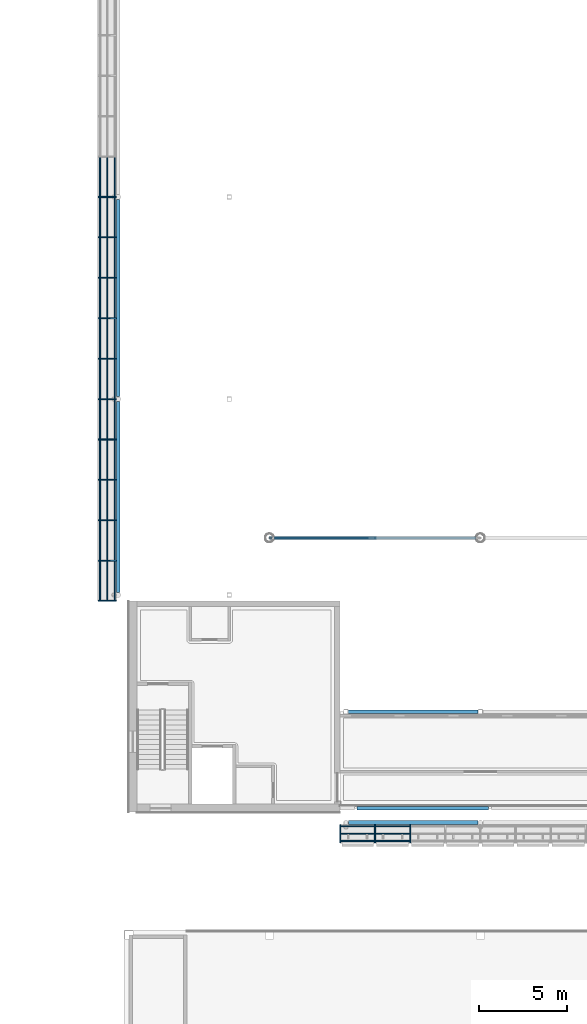
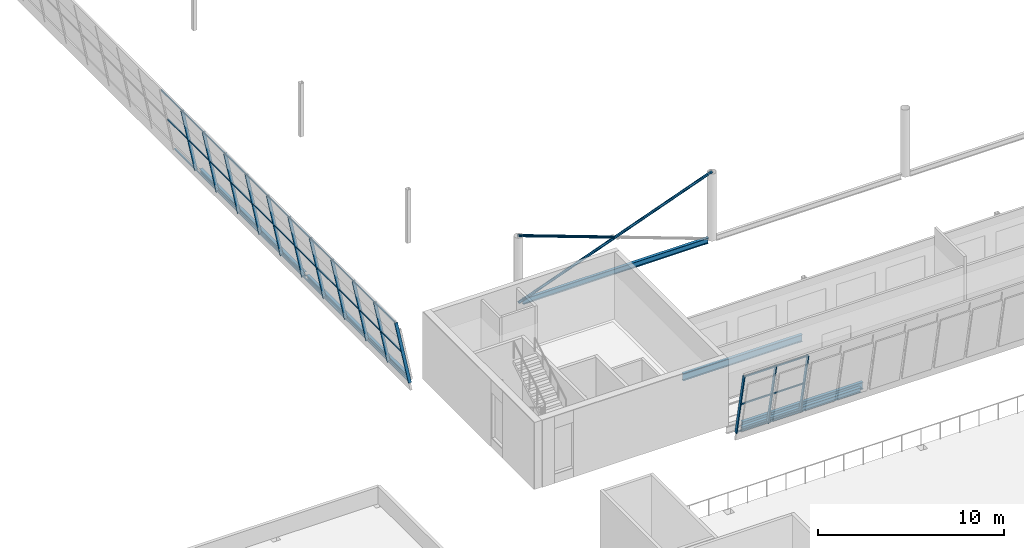
# One storey, part 17 of 95: 55 members, 6 beams, 2 elements without a shape of their own.
"""IFC4 building model written with IfcOpenShell, lengths in metres."""

from ifc_helpers import new_model, si_unit, direction, frame, origin, origin_2d, place, context, subcontext, project, spatial, rectangle, hollow_circle, i_section, extrude, material, layer, layer_set, material_profile, profile_set, type_object, element, aggregate, save


model = new_model("IFC4")

# Units and contexts
model_context = context("Model", 3, precision=1e-05, world=origin(), true_north=direction((0.0, 1.0)))
body_context = subcontext(model_context, "Body", "Model", "MODEL_VIEW")
ifc_project = project(units=[si_unit("LENGTHUNIT", "METRE"), si_unit("AREAUNIT", "SQUARE_METRE"), si_unit("VOLUMEUNIT", "CUBIC_METRE"), si_unit("PLANEANGLEUNIT", "RADIAN"), si_unit("MASSUNIT", "GRAM", prefix="KILO")], contexts=[model_context])

# Site, building, storey
site_placement = place(None, origin())
site = spatial("IfcSite", under=ifc_project, at=site_placement, CompositionType="ELEMENT")
building_placement = place(site_placement, origin())
building = spatial("IfcBuilding", under=site, at=building_placement, Name="Windward Yard Aquatics Centre", CompositionType="ELEMENT")
storey_placement = place(building_placement, frame((0.0, 0.0, 9.39990234375)))
storey = spatial("IfcBuildingStorey", under=building, at=storey_placement, Name="L02", CompositionType="ELEMENT", Elevation=9.39990234375)

# Curtain wall, members
ifc_material_1 = material(Name="Glass and aluminium curtain wall", Category="aluminium")
ifc_layer = layer(ifc_material_1, 0.179931640625)
ifc_layer_set = layer_set([ifc_layer], Name="H curtain wall tier 1 double glazed 8+16+8")
curtain_wall_type = type_object("IfcCurtainWallType", Name="H curtain wall tier 1 double glazed 8+16+8", PredefinedType="NOTDEFINED", material=ifc_layer_set)
curtain_wall_1_placement = place(storey_placement, origin())
curtain_wall_1 = element("IfcCurtainWall", 1, at=curtain_wall_1_placement, inside=storey, type_object=curtain_wall_type, Name="Tier 1 glazing S L02", PredefinedType="NOTDEFINED")
ifc_material_2 = material(Name="Aluminium 6063-T6 anodised", Category="aluminium")
ifc_material_profile_1 = material_profile(ifc_material_2, rectangle(XDim=0.06494140625, YDim=0.179931640625, at=origin_2d()), Name="H CW mullion 65x180")
ifc_profile_set_1 = profile_set([ifc_material_profile_1], Name="Aluminium 6063-T6 anodised")
member_type_1 = type_object("IfcMemberType", Name="H CW mullion 65x180", PredefinedType="MULLION", material=ifc_profile_set_1)
member_1_placement = place(storey_placement, frame((64.032470703125, 25.196533203125, 0.0), z_axis=(0.0, -0.199322032497, 0.979934042352), x_axis=(1.0, 0.0, 0.0)))
member_1 = element("IfcMember", 2, at=member_1_placement, type_object=member_type_1, Name="G1SA mullion 1", PredefinedType="MULLION", context=body_context, shape_type="SweptSolid", body=[
    extrude(rectangle(XDim=0.06494140625, YDim=0.179931640625, at=origin_2d()), origin(), (0.0, 0.0, 1.0), 4.31884765625),
])
member_2_placement = place(storey_placement, frame((65.999755859375, 25.196533203125, 0.0), z_axis=(0.0, -0.199322032497, 0.979934042352), x_axis=(1.0, 0.0, 0.0)))
member_2 = element("IfcMember", 3, at=member_2_placement, type_object=member_type_1, Name="G1SA mullion 2", PredefinedType="MULLION", context=body_context, shape_type="SweptSolid", body=[
    extrude(rectangle(XDim=0.06494140625, YDim=0.179931640625, at=origin_2d()), origin(), (0.0, 0.0, 1.0), 4.31884765625),
])
member_3_placement = place(storey_placement, frame((67.99951171875, 25.196533203125, 0.0), z_axis=(0.0, -0.199322032497, 0.979934042352), x_axis=(1.0, 0.0, 0.0)))
member_3 = element("IfcMember", 4, at=member_3_placement, type_object=member_type_1, Name="G1SA mullion 3", PredefinedType="MULLION", context=body_context, shape_type="SweptSolid", body=[
    extrude(rectangle(XDim=0.06494140625, YDim=0.179931640625, at=origin_2d()), origin(), (0.0, 0.0, 1.0), 4.31884765625),
])

curtain_wall_2_placement = place(storey_placement, origin())
curtain_wall_2 = element("IfcCurtainWall", 5, at=curtain_wall_2_placement, inside=storey, type_object=curtain_wall_type, Name="Tier 1 glazing W L02", PredefinedType="NOTDEFINED")
member_4_placement = place(storey_placement, frame((51.196533203125, 38.032470703125, 0.0), z_axis=(-0.199322032497, 0.0, 0.979934042352), x_axis=(0.0, -1.0, 0.0)))
member_4 = element("IfcMember", 6, at=member_4_placement, type_object=member_type_1, Name="G1WA mullion 1", PredefinedType="MULLION", context=body_context, shape_type="SweptSolid", body=[
    extrude(rectangle(XDim=0.06494140625, YDim=0.179931640625, at=origin_2d()), origin(), (0.0, 0.0, 1.0), 4.31884765625),
])
member_5_placement = place(storey_placement, frame((51.196533203125, 40.300048828125, 0.0), z_axis=(-0.199322032497, 0.0, 0.979934042352), x_axis=(0.0, -1.0, 0.0)))
member_5 = element("IfcMember", 7, at=member_5_placement, type_object=member_type_1, Name="G1WA mullion 2", PredefinedType="MULLION", context=body_context, shape_type="SweptSolid", body=[
    extrude(rectangle(XDim=0.06494140625, YDim=0.179931640625, at=origin_2d()), origin(), (0.0, 0.0, 1.0), 4.31884765625),
])
member_6_placement = place(storey_placement, frame((51.196533203125, 42.60009765625, 0.0), z_axis=(-0.199322032497, 0.0, 0.979934042352), x_axis=(0.0, -1.0, 0.0)))
member_6 = element("IfcMember", 8, at=member_6_placement, type_object=member_type_1, Name="G1WA mullion 3", PredefinedType="MULLION", context=body_context, shape_type="SweptSolid", body=[
    extrude(rectangle(XDim=0.06494140625, YDim=0.179931640625, at=origin_2d()), origin(), (0.0, 0.0, 1.0), 4.31884765625),
])
member_7_placement = place(storey_placement, frame((51.196533203125, 44.89990234375, 0.0), z_axis=(-0.199322032497, 0.0, 0.979934042352), x_axis=(0.0, -1.0, 0.0)))
member_7 = element("IfcMember", 9, at=member_7_placement, type_object=member_type_1, Name="G1WA mullion 4", PredefinedType="MULLION", context=body_context, shape_type="SweptSolid", body=[
    extrude(rectangle(XDim=0.06494140625, YDim=0.179931640625, at=origin_2d()), origin(), (0.0, 0.0, 1.0), 4.31884765625),
])
member_8_placement = place(storey_placement, frame((51.196533203125, 47.199951171875, 0.0), z_axis=(-0.199322032497, 0.0, 0.979934042352), x_axis=(0.0, -1.0, 0.0)))
member_8 = element("IfcMember", 10, at=member_8_placement, type_object=member_type_1, Name="G1WA mullion 5", PredefinedType="MULLION", context=body_context, shape_type="SweptSolid", body=[
    extrude(rectangle(XDim=0.06494140625, YDim=0.179931640625, at=origin_2d()), origin(), (0.0, 0.0, 1.0), 4.31884765625),
])
member_9_placement = place(storey_placement, frame((51.196533203125, 49.5, 0.0), z_axis=(-0.199322032497, 0.0, 0.979934042352), x_axis=(0.0, -1.0, 0.0)))
member_9 = element("IfcMember", 11, at=member_9_placement, type_object=member_type_1, Name="G1WA mullion 6", PredefinedType="MULLION", context=body_context, shape_type="SweptSolid", body=[
    extrude(rectangle(XDim=0.06494140625, YDim=0.179931640625, at=origin_2d()), origin(), (0.0, 0.0, 1.0), 4.31884765625),
])
member_10_placement = place(storey_placement, frame((51.196533203125, 51.800048828125, 0.0), z_axis=(-0.199322032497, 0.0, 0.979934042352), x_axis=(0.0, -1.0, 0.0)))
member_10 = element("IfcMember", 12, at=member_10_placement, type_object=member_type_1, Name="G1WA mullion 7", PredefinedType="MULLION", context=body_context, shape_type="SweptSolid", body=[
    extrude(rectangle(XDim=0.06494140625, YDim=0.179931640625, at=origin_2d()), origin(), (0.0, 0.0, 1.0), 4.31884765625),
])
member_11_placement = place(storey_placement, frame((51.196533203125, 54.10009765625, 0.0), z_axis=(-0.199322032497, 0.0, 0.979934042352), x_axis=(0.0, -1.0, 0.0)))
member_11 = element("IfcMember", 13, at=member_11_placement, type_object=member_type_1, Name="G1WA mullion 8", PredefinedType="MULLION", context=body_context, shape_type="SweptSolid", body=[
    extrude(rectangle(XDim=0.06494140625, YDim=0.179931640625, at=origin_2d()), origin(), (0.0, 0.0, 1.0), 4.31884765625),
])
member_12_placement = place(storey_placement, frame((51.196533203125, 56.39990234375, 0.0), z_axis=(-0.199322032497, 0.0, 0.979934042352), x_axis=(0.0, -1.0, 0.0)))
member_12 = element("IfcMember", 14, at=member_12_placement, type_object=member_type_1, Name="G1WA mullion 9", PredefinedType="MULLION", context=body_context, shape_type="SweptSolid", body=[
    extrude(rectangle(XDim=0.06494140625, YDim=0.179931640625, at=origin_2d()), origin(), (0.0, 0.0, 1.0), 4.31884765625),
])
member_13_placement = place(storey_placement, frame((51.196533203125, 58.699951171875, 0.0), z_axis=(-0.199322032497, 0.0, 0.979934042352), x_axis=(0.0, -1.0, 0.0)))
member_13 = element("IfcMember", 15, at=member_13_placement, type_object=member_type_1, Name="G1WA mullion 10", PredefinedType="MULLION", context=body_context, shape_type="SweptSolid", body=[
    extrude(rectangle(XDim=0.06494140625, YDim=0.179931640625, at=origin_2d()), origin(), (0.0, 0.0, 1.0), 4.31884765625),
])
member_14_placement = place(storey_placement, frame((51.196533203125, 61.0, 0.0), z_axis=(-0.199322032497, 0.0, 0.979934042352), x_axis=(0.0, -1.0, 0.0)))
member_14 = element("IfcMember", 16, at=member_14_placement, type_object=member_type_1, Name="G1WA mullion 11", PredefinedType="MULLION", context=body_context, shape_type="SweptSolid", body=[
    extrude(rectangle(XDim=0.06494140625, YDim=0.179931640625, at=origin_2d()), origin(), (0.0, 0.0, 1.0), 4.31884765625),
])

# Member
ifc_material_profile_2 = material_profile(ifc_material_2, rectangle(XDim=0.06494140625, YDim=0.10009765625, at=origin_2d()), Name="H CW transom 65x100")
ifc_profile_set_2 = profile_set([ifc_material_profile_2], Name="Aluminium 6063-T6 anodised")
member_type_2 = type_object("IfcMemberType", Name="H CW transom 65x100", PredefinedType="USERDEFINED", material=ifc_profile_set_2)
member_15_placement = place(storey_placement, frame((64.06494140625, 25.186767578125, 0.049072265625), z_axis=(1.0, 0.0, 0.0), x_axis=(0.0, 0.9799247046, 0.19936793452)))
member_15 = element("IfcMember", 17, at=member_15_placement, type_object=member_type_2, Name="G1SA transom 1.1", ObjectType="TRANSOM", PredefinedType="USERDEFINED", context=body_context, shape_type="SweptSolid", body=[
    extrude(rectangle(XDim=0.06494140625, YDim=0.10009765625, at=origin_2d()), origin(), (0.0, 0.0, 1.0), 1.90234375),
])

member_16_placement = place(storey_placement, frame((64.06494140625, 24.764404296875, 2.125), z_axis=(1.0, 0.0, 0.0), x_axis=(0.0, 0.9799247046, 0.19936793452)))
member_16 = element("IfcMember", 18, at=member_16_placement, type_object=member_type_2, Name="G1SA transom 1.2", ObjectType="TRANSOM", PredefinedType="USERDEFINED", context=body_context, shape_type="SweptSolid", body=[
    extrude(rectangle(XDim=0.06494140625, YDim=0.10009765625, at=origin_2d()), origin(), (0.0, 0.0, 1.0), 1.90234375),
])

member_17_placement = place(storey_placement, frame((64.06494140625, 24.34326171875, 4.194580078125), z_axis=(1.0, 0.0, 0.0), x_axis=(0.0, 0.9799247046, 0.19936793452)))
member_17 = element("IfcMember", 19, at=member_17_placement, type_object=member_type_2, Name="G1SA transom 1.3", ObjectType="TRANSOM", PredefinedType="USERDEFINED", context=body_context, shape_type="SweptSolid", body=[
    extrude(rectangle(XDim=0.06494140625, YDim=0.10009765625, at=origin_2d()), origin(), (0.0, 0.0, 1.0), 1.90234375),
])

member_18_placement = place(storey_placement, frame((66.0322265625, 25.186767578125, 0.049072265625), z_axis=(1.0, 0.0, 0.0), x_axis=(0.0, 0.9799247046, 0.19936793452)))
member_18 = element("IfcMember", 20, at=member_18_placement, type_object=member_type_2, Name="G1SA transom 2.1", ObjectType="TRANSOM", PredefinedType="USERDEFINED", context=body_context, shape_type="SweptSolid", body=[
    extrude(rectangle(XDim=0.06494140625, YDim=0.10009765625, at=origin_2d()), origin(), (0.0, 0.0, 1.0), 1.934814453125),
])

member_19_placement = place(storey_placement, frame((66.0322265625, 24.764404296875, 2.125), z_axis=(1.0, 0.0, 0.0), x_axis=(0.0, 0.9799247046, 0.19936793452)))
member_19 = element("IfcMember", 21, at=member_19_placement, type_object=member_type_2, Name="G1SA transom 2.2", ObjectType="TRANSOM", PredefinedType="USERDEFINED", context=body_context, shape_type="SweptSolid", body=[
    extrude(rectangle(XDim=0.06494140625, YDim=0.10009765625, at=origin_2d()), origin(), (0.0, 0.0, 1.0), 1.934814453125),
])

member_20_placement = place(storey_placement, frame((66.0322265625, 24.34326171875, 4.194580078125), z_axis=(1.0, 0.0, 0.0), x_axis=(0.0, 0.9799247046, 0.19936793452)))
member_20 = element("IfcMember", 22, at=member_20_placement, type_object=member_type_2, Name="G1SA transom 2.3", ObjectType="TRANSOM", PredefinedType="USERDEFINED", context=body_context, shape_type="SweptSolid", body=[
    extrude(rectangle(XDim=0.06494140625, YDim=0.10009765625, at=origin_2d()), origin(), (0.0, 0.0, 1.0), 1.934814453125),
])

aggregate(curtain_wall_1, [member_1, member_2, member_3, member_15, member_16, member_17, member_18, member_19, member_20])

member_21_placement = place(storey_placement, frame((51.186767578125, 38.06494140625, 0.049072265625), z_axis=(0.0, 1.0, 0.0), x_axis=(0.9799247046, 0.0, 0.19936793452)))
member_21 = element("IfcMember", 23, at=member_21_placement, type_object=member_type_2, Name="G1WA transom 1.1", ObjectType="TRANSOM", PredefinedType="USERDEFINED", context=body_context, shape_type="SweptSolid", body=[
    extrude(rectangle(XDim=0.06494140625, YDim=0.10009765625, at=origin_2d()), origin(), (0.0, 0.0, 1.0), 2.20263671875),
])

member_22_placement = place(storey_placement, frame((50.764404296875, 38.06494140625, 2.125), z_axis=(0.0, 1.0, 0.0), x_axis=(0.9799247046, 0.0, 0.19936793452)))
member_22 = element("IfcMember", 24, at=member_22_placement, type_object=member_type_2, Name="G1WA transom 1.2", ObjectType="TRANSOM", PredefinedType="USERDEFINED", context=body_context, shape_type="SweptSolid", body=[
    extrude(rectangle(XDim=0.06494140625, YDim=0.10009765625, at=origin_2d()), origin(), (0.0, 0.0, 1.0), 2.20263671875),
])

member_23_placement = place(storey_placement, frame((50.34326171875, 38.06494140625, 4.194580078125), z_axis=(0.0, 1.0, 0.0), x_axis=(0.9799247046, 0.0, 0.19936793452)))
member_23 = element("IfcMember", 25, at=member_23_placement, type_object=member_type_2, Name="G1WA transom 1.3", ObjectType="TRANSOM", PredefinedType="USERDEFINED", context=body_context, shape_type="SweptSolid", body=[
    extrude(rectangle(XDim=0.06494140625, YDim=0.10009765625, at=origin_2d()), origin(), (0.0, 0.0, 1.0), 2.20263671875),
])

member_24_placement = place(storey_placement, frame((51.186767578125, 40.33251953125, 0.049072265625), z_axis=(0.0, 1.0, 0.0), x_axis=(0.9799247046, 0.0, 0.19936793452)))
member_24 = element("IfcMember", 26, at=member_24_placement, type_object=member_type_2, Name="G1WA transom 2.1", ObjectType="TRANSOM", PredefinedType="USERDEFINED", context=body_context, shape_type="SweptSolid", body=[
    extrude(rectangle(XDim=0.06494140625, YDim=0.10009765625, at=origin_2d()), origin(), (0.0, 0.0, 1.0), 2.23486328125),
])

member_25_placement = place(storey_placement, frame((50.764404296875, 40.33251953125, 2.125), z_axis=(0.0, 1.0, 0.0), x_axis=(0.9799247046, 0.0, 0.19936793452)))
member_25 = element("IfcMember", 27, at=member_25_placement, type_object=member_type_2, Name="G1WA transom 2.2", ObjectType="TRANSOM", PredefinedType="USERDEFINED", context=body_context, shape_type="SweptSolid", body=[
    extrude(rectangle(XDim=0.06494140625, YDim=0.10009765625, at=origin_2d()), origin(), (0.0, 0.0, 1.0), 2.23486328125),
])

member_26_placement = place(storey_placement, frame((50.34326171875, 40.33251953125, 4.194580078125), z_axis=(0.0, 1.0, 0.0), x_axis=(0.9799247046, 0.0, 0.19936793452)))
member_26 = element("IfcMember", 28, at=member_26_placement, type_object=member_type_2, Name="G1WA transom 2.3", ObjectType="TRANSOM", PredefinedType="USERDEFINED", context=body_context, shape_type="SweptSolid", body=[
    extrude(rectangle(XDim=0.06494140625, YDim=0.10009765625, at=origin_2d()), origin(), (0.0, 0.0, 1.0), 2.23486328125),
])

member_27_placement = place(storey_placement, frame((51.186767578125, 42.632568359375, 0.049072265625), z_axis=(0.0, 1.0, 0.0), x_axis=(0.9799247046, 0.0, 0.19936793452)))
member_27 = element("IfcMember", 29, at=member_27_placement, type_object=member_type_2, Name="G1WA transom 3.1", ObjectType="TRANSOM", PredefinedType="USERDEFINED", context=body_context, shape_type="SweptSolid", body=[
    extrude(rectangle(XDim=0.06494140625, YDim=0.10009765625, at=origin_2d()), origin(), (0.0, 0.0, 1.0), 2.23486328125),
])

member_28_placement = place(storey_placement, frame((50.764404296875, 42.632568359375, 2.125), z_axis=(0.0, 1.0, 0.0), x_axis=(0.9799247046, 0.0, 0.19936793452)))
member_28 = element("IfcMember", 30, at=member_28_placement, type_object=member_type_2, Name="G1WA transom 3.2", ObjectType="TRANSOM", PredefinedType="USERDEFINED", context=body_context, shape_type="SweptSolid", body=[
    extrude(rectangle(XDim=0.06494140625, YDim=0.10009765625, at=origin_2d()), origin(), (0.0, 0.0, 1.0), 2.23486328125),
])

member_29_placement = place(storey_placement, frame((50.34326171875, 42.632568359375, 4.194580078125), z_axis=(0.0, 1.0, 0.0), x_axis=(0.9799247046, 0.0, 0.19936793452)))
member_29 = element("IfcMember", 31, at=member_29_placement, type_object=member_type_2, Name="G1WA transom 3.3", ObjectType="TRANSOM", PredefinedType="USERDEFINED", context=body_context, shape_type="SweptSolid", body=[
    extrude(rectangle(XDim=0.06494140625, YDim=0.10009765625, at=origin_2d()), origin(), (0.0, 0.0, 1.0), 2.23486328125),
])

member_30_placement = place(storey_placement, frame((51.186767578125, 44.9326171875, 0.049072265625), z_axis=(0.0, 1.0, 0.0), x_axis=(0.9799247046, 0.0, 0.19936793452)))
member_30 = element("IfcMember", 32, at=member_30_placement, type_object=member_type_2, Name="G1WA transom 4.1", ObjectType="TRANSOM", PredefinedType="USERDEFINED", context=body_context, shape_type="SweptSolid", body=[
    extrude(rectangle(XDim=0.06494140625, YDim=0.10009765625, at=origin_2d()), origin(), (0.0, 0.0, 1.0), 2.23486328125),
])

member_31_placement = place(storey_placement, frame((50.764404296875, 44.9326171875, 2.125), z_axis=(0.0, 1.0, 0.0), x_axis=(0.9799247046, 0.0, 0.19936793452)))
member_31 = element("IfcMember", 33, at=member_31_placement, type_object=member_type_2, Name="G1WA transom 4.2", ObjectType="TRANSOM", PredefinedType="USERDEFINED", context=body_context, shape_type="SweptSolid", body=[
    extrude(rectangle(XDim=0.06494140625, YDim=0.10009765625, at=origin_2d()), origin(), (0.0, 0.0, 1.0), 2.23486328125),
])

member_32_placement = place(storey_placement, frame((50.34326171875, 44.9326171875, 4.194580078125), z_axis=(0.0, 1.0, 0.0), x_axis=(0.9799247046, 0.0, 0.19936793452)))
member_32 = element("IfcMember", 34, at=member_32_placement, type_object=member_type_2, Name="G1WA transom 4.3", ObjectType="TRANSOM", PredefinedType="USERDEFINED", context=body_context, shape_type="SweptSolid", body=[
    extrude(rectangle(XDim=0.06494140625, YDim=0.10009765625, at=origin_2d()), origin(), (0.0, 0.0, 1.0), 2.23486328125),
])

member_33_placement = place(storey_placement, frame((51.186767578125, 47.232421875, 0.049072265625), z_axis=(0.0, 1.0, 0.0), x_axis=(0.9799247046, 0.0, 0.19936793452)))
member_33 = element("IfcMember", 35, at=member_33_placement, type_object=member_type_2, Name="G1WA transom 5.1", ObjectType="TRANSOM", PredefinedType="USERDEFINED", context=body_context, shape_type="SweptSolid", body=[
    extrude(rectangle(XDim=0.06494140625, YDim=0.10009765625, at=origin_2d()), origin(), (0.0, 0.0, 1.0), 2.235107421875),
])

member_34_placement = place(storey_placement, frame((50.764404296875, 47.232421875, 2.125), z_axis=(0.0, 1.0, 0.0), x_axis=(0.9799247046, 0.0, 0.19936793452)))
member_34 = element("IfcMember", 36, at=member_34_placement, type_object=member_type_2, Name="G1WA transom 5.2", ObjectType="TRANSOM", PredefinedType="USERDEFINED", context=body_context, shape_type="SweptSolid", body=[
    extrude(rectangle(XDim=0.06494140625, YDim=0.10009765625, at=origin_2d()), origin(), (0.0, 0.0, 1.0), 2.235107421875),
])

member_35_placement = place(storey_placement, frame((50.34326171875, 47.232421875, 4.194580078125), z_axis=(0.0, 1.0, 0.0), x_axis=(0.9799247046, 0.0, 0.19936793452)))
member_35 = element("IfcMember", 37, at=member_35_placement, type_object=member_type_2, Name="G1WA transom 5.3", ObjectType="TRANSOM", PredefinedType="USERDEFINED", context=body_context, shape_type="SweptSolid", body=[
    extrude(rectangle(XDim=0.06494140625, YDim=0.10009765625, at=origin_2d()), origin(), (0.0, 0.0, 1.0), 2.235107421875),
])

member_36_placement = place(storey_placement, frame((51.186767578125, 49.532470703125, 0.049072265625), z_axis=(0.0, 1.0, 0.0), x_axis=(0.9799247046, 0.0, 0.19936793452)))
member_36 = element("IfcMember", 38, at=member_36_placement, type_object=member_type_2, Name="G1WA transom 6.1", ObjectType="TRANSOM", PredefinedType="USERDEFINED", context=body_context, shape_type="SweptSolid", body=[
    extrude(rectangle(XDim=0.06494140625, YDim=0.10009765625, at=origin_2d()), origin(), (0.0, 0.0, 1.0), 2.235107421875),
])

member_37_placement = place(storey_placement, frame((50.764404296875, 49.532470703125, 2.125), z_axis=(0.0, 1.0, 0.0), x_axis=(0.9799247046, 0.0, 0.19936793452)))
member_37 = element("IfcMember", 39, at=member_37_placement, type_object=member_type_2, Name="G1WA transom 6.2", ObjectType="TRANSOM", PredefinedType="USERDEFINED", context=body_context, shape_type="SweptSolid", body=[
    extrude(rectangle(XDim=0.06494140625, YDim=0.10009765625, at=origin_2d()), origin(), (0.0, 0.0, 1.0), 2.235107421875),
])

member_38_placement = place(storey_placement, frame((50.34326171875, 49.532470703125, 4.194580078125), z_axis=(0.0, 1.0, 0.0), x_axis=(0.9799247046, 0.0, 0.19936793452)))
member_38 = element("IfcMember", 40, at=member_38_placement, type_object=member_type_2, Name="G1WA transom 6.3", ObjectType="TRANSOM", PredefinedType="USERDEFINED", context=body_context, shape_type="SweptSolid", body=[
    extrude(rectangle(XDim=0.06494140625, YDim=0.10009765625, at=origin_2d()), origin(), (0.0, 0.0, 1.0), 2.235107421875),
])

member_39_placement = place(storey_placement, frame((51.186767578125, 51.83251953125, 0.049072265625), z_axis=(0.0, 1.0, 0.0), x_axis=(0.9799247046, 0.0, 0.19936793452)))
member_39 = element("IfcMember", 41, at=member_39_placement, type_object=member_type_2, Name="G1WA transom 7.1", ObjectType="TRANSOM", PredefinedType="USERDEFINED", context=body_context, shape_type="SweptSolid", body=[
    extrude(rectangle(XDim=0.06494140625, YDim=0.10009765625, at=origin_2d()), origin(), (0.0, 0.0, 1.0), 2.23486328125),
])

member_40_placement = place(storey_placement, frame((50.764404296875, 51.83251953125, 2.125), z_axis=(0.0, 1.0, 0.0), x_axis=(0.9799247046, 0.0, 0.19936793452)))
member_40 = element("IfcMember", 42, at=member_40_placement, type_object=member_type_2, Name="G1WA transom 7.2", ObjectType="TRANSOM", PredefinedType="USERDEFINED", context=body_context, shape_type="SweptSolid", body=[
    extrude(rectangle(XDim=0.06494140625, YDim=0.10009765625, at=origin_2d()), origin(), (0.0, 0.0, 1.0), 2.23486328125),
])

member_41_placement = place(storey_placement, frame((50.34326171875, 51.83251953125, 4.194580078125), z_axis=(0.0, 1.0, 0.0), x_axis=(0.9799247046, 0.0, 0.19936793452)))
member_41 = element("IfcMember", 43, at=member_41_placement, type_object=member_type_2, Name="G1WA transom 7.3", ObjectType="TRANSOM", PredefinedType="USERDEFINED", context=body_context, shape_type="SweptSolid", body=[
    extrude(rectangle(XDim=0.06494140625, YDim=0.10009765625, at=origin_2d()), origin(), (0.0, 0.0, 1.0), 2.23486328125),
])

member_42_placement = place(storey_placement, frame((51.186767578125, 54.132568359375, 0.049072265625), z_axis=(0.0, 1.0, 0.0), x_axis=(0.9799247046, 0.0, 0.19936793452)))
member_42 = element("IfcMember", 44, at=member_42_placement, type_object=member_type_2, Name="G1WA transom 8.1", ObjectType="TRANSOM", PredefinedType="USERDEFINED", context=body_context, shape_type="SweptSolid", body=[
    extrude(rectangle(XDim=0.06494140625, YDim=0.10009765625, at=origin_2d()), origin(), (0.0, 0.0, 1.0), 2.23486328125),
])

member_43_placement = place(storey_placement, frame((50.764404296875, 54.132568359375, 2.125), z_axis=(0.0, 1.0, 0.0), x_axis=(0.9799247046, 0.0, 0.19936793452)))
member_43 = element("IfcMember", 45, at=member_43_placement, type_object=member_type_2, Name="G1WA transom 8.2", ObjectType="TRANSOM", PredefinedType="USERDEFINED", context=body_context, shape_type="SweptSolid", body=[
    extrude(rectangle(XDim=0.06494140625, YDim=0.10009765625, at=origin_2d()), origin(), (0.0, 0.0, 1.0), 2.23486328125),
])

member_44_placement = place(storey_placement, frame((50.34326171875, 54.132568359375, 4.194580078125), z_axis=(0.0, 1.0, 0.0), x_axis=(0.9799247046, 0.0, 0.19936793452)))
member_44 = element("IfcMember", 46, at=member_44_placement, type_object=member_type_2, Name="G1WA transom 8.3", ObjectType="TRANSOM", PredefinedType="USERDEFINED", context=body_context, shape_type="SweptSolid", body=[
    extrude(rectangle(XDim=0.06494140625, YDim=0.10009765625, at=origin_2d()), origin(), (0.0, 0.0, 1.0), 2.23486328125),
])

member_45_placement = place(storey_placement, frame((51.186767578125, 56.4326171875, 0.049072265625), z_axis=(0.0, 1.0, 0.0), x_axis=(0.9799247046, 0.0, 0.19936793452)))
member_45 = element("IfcMember", 47, at=member_45_placement, type_object=member_type_2, Name="G1WA transom 9.1", ObjectType="TRANSOM", PredefinedType="USERDEFINED", context=body_context, shape_type="SweptSolid", body=[
    extrude(rectangle(XDim=0.06494140625, YDim=0.10009765625, at=origin_2d()), origin(), (0.0, 0.0, 1.0), 2.23486328125),
])

member_46_placement = place(storey_placement, frame((50.764404296875, 56.4326171875, 2.125), z_axis=(0.0, 1.0, 0.0), x_axis=(0.9799247046, 0.0, 0.19936793452)))
member_46 = element("IfcMember", 48, at=member_46_placement, type_object=member_type_2, Name="G1WA transom 9.2", ObjectType="TRANSOM", PredefinedType="USERDEFINED", context=body_context, shape_type="SweptSolid", body=[
    extrude(rectangle(XDim=0.06494140625, YDim=0.10009765625, at=origin_2d()), origin(), (0.0, 0.0, 1.0), 2.23486328125),
])

member_47_placement = place(storey_placement, frame((50.34326171875, 56.4326171875, 4.194580078125), z_axis=(0.0, 1.0, 0.0), x_axis=(0.9799247046, 0.0, 0.19936793452)))
member_47 = element("IfcMember", 49, at=member_47_placement, type_object=member_type_2, Name="G1WA transom 9.3", ObjectType="TRANSOM", PredefinedType="USERDEFINED", context=body_context, shape_type="SweptSolid", body=[
    extrude(rectangle(XDim=0.06494140625, YDim=0.10009765625, at=origin_2d()), origin(), (0.0, 0.0, 1.0), 2.23486328125),
])

member_48_placement = place(storey_placement, frame((51.186767578125, 58.732421875, 0.049072265625), z_axis=(0.0, 1.0, 0.0), x_axis=(0.9799247046, 0.0, 0.19936793452)))
member_48 = element("IfcMember", 50, at=member_48_placement, type_object=member_type_2, Name="G1WA transom 10.1", ObjectType="TRANSOM", PredefinedType="USERDEFINED", context=body_context, shape_type="SweptSolid", body=[
    extrude(rectangle(XDim=0.06494140625, YDim=0.10009765625, at=origin_2d()), origin(), (0.0, 0.0, 1.0), 2.235107421875),
])

member_49_placement = place(storey_placement, frame((50.764404296875, 58.732421875, 2.125), z_axis=(0.0, 1.0, 0.0), x_axis=(0.9799247046, 0.0, 0.19936793452)))
member_49 = element("IfcMember", 51, at=member_49_placement, type_object=member_type_2, Name="G1WA transom 10.2", ObjectType="TRANSOM", PredefinedType="USERDEFINED", context=body_context, shape_type="SweptSolid", body=[
    extrude(rectangle(XDim=0.06494140625, YDim=0.10009765625, at=origin_2d()), origin(), (0.0, 0.0, 1.0), 2.235107421875),
])

member_50_placement = place(storey_placement, frame((50.34326171875, 58.732421875, 4.194580078125), z_axis=(0.0, 1.0, 0.0), x_axis=(0.9799247046, 0.0, 0.19936793452)))
member_50 = element("IfcMember", 52, at=member_50_placement, type_object=member_type_2, Name="G1WA transom 10.3", ObjectType="TRANSOM", PredefinedType="USERDEFINED", context=body_context, shape_type="SweptSolid", body=[
    extrude(rectangle(XDim=0.06494140625, YDim=0.10009765625, at=origin_2d()), origin(), (0.0, 0.0, 1.0), 2.235107421875),
])

member_51_placement = place(storey_placement, frame((51.186767578125, 61.032470703125, 0.049072265625), z_axis=(0.0, 1.0, 0.0), x_axis=(0.9799247046, 0.0, 0.19936793452)))
member_51 = element("IfcMember", 53, at=member_51_placement, type_object=member_type_2, Name="G1WA transom 11.1", ObjectType="TRANSOM", PredefinedType="USERDEFINED", context=body_context, shape_type="SweptSolid", body=[
    extrude(rectangle(XDim=0.06494140625, YDim=0.10009765625, at=origin_2d()), origin(), (0.0, 0.0, 1.0), 2.235107421875),
])

member_52_placement = place(storey_placement, frame((50.764404296875, 61.032470703125, 2.125), z_axis=(0.0, 1.0, 0.0), x_axis=(0.9799247046, 0.0, 0.19936793452)))
member_52 = element("IfcMember", 54, at=member_52_placement, type_object=member_type_2, Name="G1WA transom 11.2", ObjectType="TRANSOM", PredefinedType="USERDEFINED", context=body_context, shape_type="SweptSolid", body=[
    extrude(rectangle(XDim=0.06494140625, YDim=0.10009765625, at=origin_2d()), origin(), (0.0, 0.0, 1.0), 2.235107421875),
])

member_53_placement = place(storey_placement, frame((50.34326171875, 61.032470703125, 4.194580078125), z_axis=(0.0, 1.0, 0.0), x_axis=(0.9799247046, 0.0, 0.19936793452)))
member_53 = element("IfcMember", 55, at=member_53_placement, type_object=member_type_2, Name="G1WA transom 11.3", ObjectType="TRANSOM", PredefinedType="USERDEFINED", context=body_context, shape_type="SweptSolid", body=[
    extrude(rectangle(XDim=0.06494140625, YDim=0.10009765625, at=origin_2d()), origin(), (0.0, 0.0, 1.0), 2.235107421875),
])

aggregate(curtain_wall_2, [member_4, member_5, member_6, member_7, member_8, member_9, member_10, member_11, member_12, member_13, member_14, member_21, member_22, member_23, member_24, member_25, member_26, member_27, member_28, member_29, member_30, member_31, member_32, member_33, member_34, member_35, member_36, member_37, member_38, member_39, member_40, member_41, member_42, member_43, member_44, member_45, member_46, member_47, member_48, member_49, member_50, member_51, member_52, member_53])

# Beam
ifc_material_3 = material(Name="Steel ASTM A992 Gr 50", Category="steel")
ifc_material_profile_3 = material_profile(ifc_material_3, i_section(OverallWidth=0.172119140625, OverallDepth=0.35791015625, WebThickness=0.0078125, FlangeThickness=0.01318359375, at=origin_2d()), Name="W360X57.8")
ifc_profile_set_3 = profile_set([ifc_material_profile_3], Name="Steel ASTM A992 Gr 50")
beam_type_1 = type_object("IfcBeamType", Name="H arch column tie beam W360X57.8", PredefinedType="BEAM", material=ifc_profile_set_3)
beam_1_placement = place(storey_placement, frame((60.25390625, 41.60009765625, 0.0), z_axis=(1.0, 0.0, 0.0), x_axis=(0.0, 1.0, 0.0)))
element("IfcBeam", 56, at=beam_1_placement, inside=storey, type_object=beam_type_1, Name="H.TB.S1.T2", PredefinedType="BEAM", context=body_context, shape_type="SweptSolid", body=[
    extrude(i_section(OverallWidth=0.172119140625, OverallDepth=0.35791015625, WebThickness=0.0078125, FlangeThickness=0.01318359375, at=origin_2d()), origin(), (0.0, 0.0, 1.0), 11.4921875),
])

# Members
ifc_material_4 = material(Name="Steel ASTM A500 Gr C", Category="steel")
ifc_material_profile_4 = material_profile(ifc_material_4, hollow_circle(Radius=0.084228515625, WallThickness=0.010986328125, at=origin_2d()), Name="HSS168.3X11")
ifc_profile_set_4 = profile_set([ifc_material_profile_4], Name="Steel ASTM A500 Gr C")
member_type_3 = type_object("IfcMemberType", Name="H column brace HSS168.3X11", PredefinedType="BRACE", material=ifc_profile_set_4)
member_54_placement = place(storey_placement, frame((60.0, 41.60009765625, 0.0), z_axis=(0.938872611543, 0.0, 0.344264751746), x_axis=(0.0, 1.0, 0.0)))
element("IfcMember", 57, at=member_54_placement, inside=storey, type_object=member_type_3, Name="H.VB.S1.L02.A", PredefinedType="BRACE", context=body_context, shape_type="SweptSolid", body=[
    extrude(hollow_circle(Radius=0.084228515625, WallThickness=0.010986328125, at=origin_2d()), origin(), (0.0, 0.0, 1.0), 12.78125),
])
member_55_placement = place(storey_placement, frame((60.0, 41.60009765625, 4.400146484375), z_axis=(0.938872965334, 0.0, -0.344263786891), x_axis=(0.0, 1.0, 0.0)))
element("IfcMember", 58, at=member_55_placement, inside=storey, type_object=member_type_3, Name="H.VB.S1.L02.B1", PredefinedType="BRACE", context=body_context, shape_type="SweptSolid", body=[
    extrude(hollow_circle(Radius=0.084228515625, WallThickness=0.010986328125, at=origin_2d()), origin(), (0.0, 0.0, 1.0), 6.2802734375),
])

# Beams
ifc_material_profile_5 = material_profile(ifc_material_3, i_section(OverallWidth=0.19091796875, OverallDepth=0.45703125, WebThickness=0.009033203125, FlangeThickness=0.014404296875, at=origin_2d()), Name="W460X74")
ifc_profile_set_5 = profile_set([ifc_material_profile_5], Name="Steel ASTM A992 Gr 50")
beam_type_2 = type_object("IfcBeamType", Name="H gallery edge beam W460X74", PredefinedType="BEAM", material=ifc_profile_set_5)
beam_2_placement = place(storey_placement, frame((64.976318359375, 26.22509765625, -0.428466796875), z_axis=(1.0, 0.0, 0.0), x_axis=(0.0, 1.0, 0.0)))
element("IfcBeam", 59, at=beam_2_placement, inside=storey, type_object=beam_type_2, Name="H.GB.S.O2", PredefinedType="BEAM", context=body_context, shape_type="SweptSolid", body=[
    extrude(i_section(OverallWidth=0.19091796875, OverallDepth=0.45703125, WebThickness=0.009033203125, FlangeThickness=0.014404296875, at=origin_2d()), origin(), (0.0, 0.0, 1.0), 7.49755859375),
])
beam_3_placement = place(storey_placement, frame((64.47705078125, 31.709716796875, -0.428466796875), z_axis=(1.0, 0.0, 0.0), x_axis=(0.0, 1.0, 0.0)))
element("IfcBeam", 60, at=beam_3_placement, inside=storey, type_object=beam_type_2, Name="H.GB.S.I1", PredefinedType="BEAM", context=body_context, shape_type="SweptSolid", body=[
    extrude(i_section(OverallWidth=0.19091796875, OverallDepth=0.45703125, WebThickness=0.009033203125, FlangeThickness=0.014404296875, at=origin_2d()), origin(), (0.0, 0.0, 1.0), 7.39599609375),
])
ifc_material_profile_6 = material_profile(ifc_material_3, i_section(OverallWidth=0.202880859375, OverallDepth=0.302001953125, WebThickness=0.007568359375, FlangeThickness=0.01318359375, at=origin_2d()), Name="W310X60")
ifc_profile_set_6 = profile_set([ifc_material_profile_6], Name="Steel ASTM A992 Gr 50")
beam_type_3 = type_object("IfcBeamType", Name="H tier ring beam W310X60", PredefinedType="BEAM", material=ifc_profile_set_6)
beam_4_placement = place(storey_placement, frame((64.486572265625, 25.40478515625, 0.0), z_axis=(1.0, 0.0, 0.0), x_axis=(0.0, 1.0, 0.0)))
element("IfcBeam", 61, at=beam_4_placement, inside=storey, type_object=beam_type_3, Name="H.RG.S1.1", PredefinedType="BEAM", context=body_context, shape_type="SweptSolid", body=[
    extrude(i_section(OverallWidth=0.202880859375, OverallDepth=0.302001953125, WebThickness=0.007568359375, FlangeThickness=0.01318359375, at=origin_2d()), origin(), (0.0, 0.0, 1.0), 7.376953125),
])
beam_5_placement = place(storey_placement, frame((51.40478515625, 38.486572265625, 0.0), z_axis=(0.0, 1.0, 0.0), x_axis=(-1.0, 0.0, 0.0)))
element("IfcBeam", 62, at=beam_5_placement, inside=storey, type_object=beam_type_3, Name="H.RG.W1.1", PredefinedType="BEAM", context=body_context, shape_type="SweptSolid", body=[
    extrude(i_section(OverallWidth=0.202880859375, OverallDepth=0.302001953125, WebThickness=0.007568359375, FlangeThickness=0.01318359375, at=origin_2d()), origin(), (0.0, 0.0, 1.0), 10.876953125),
])
beam_6_placement = place(storey_placement, frame((51.40478515625, 49.636474609375, 0.0), z_axis=(0.0, 1.0, 0.0), x_axis=(-1.0, 0.0, 0.0)))
element("IfcBeam", 63, at=beam_6_placement, inside=storey, type_object=beam_type_3, Name="H.RG.W2.1", PredefinedType="BEAM", context=body_context, shape_type="SweptSolid", body=[
    extrude(i_section(OverallWidth=0.202880859375, OverallDepth=0.302001953125, WebThickness=0.007568359375, FlangeThickness=0.01318359375, at=origin_2d()), origin(), (0.0, 0.0, 1.0), 11.22705078125),
])

save(model, "model.ifc")
